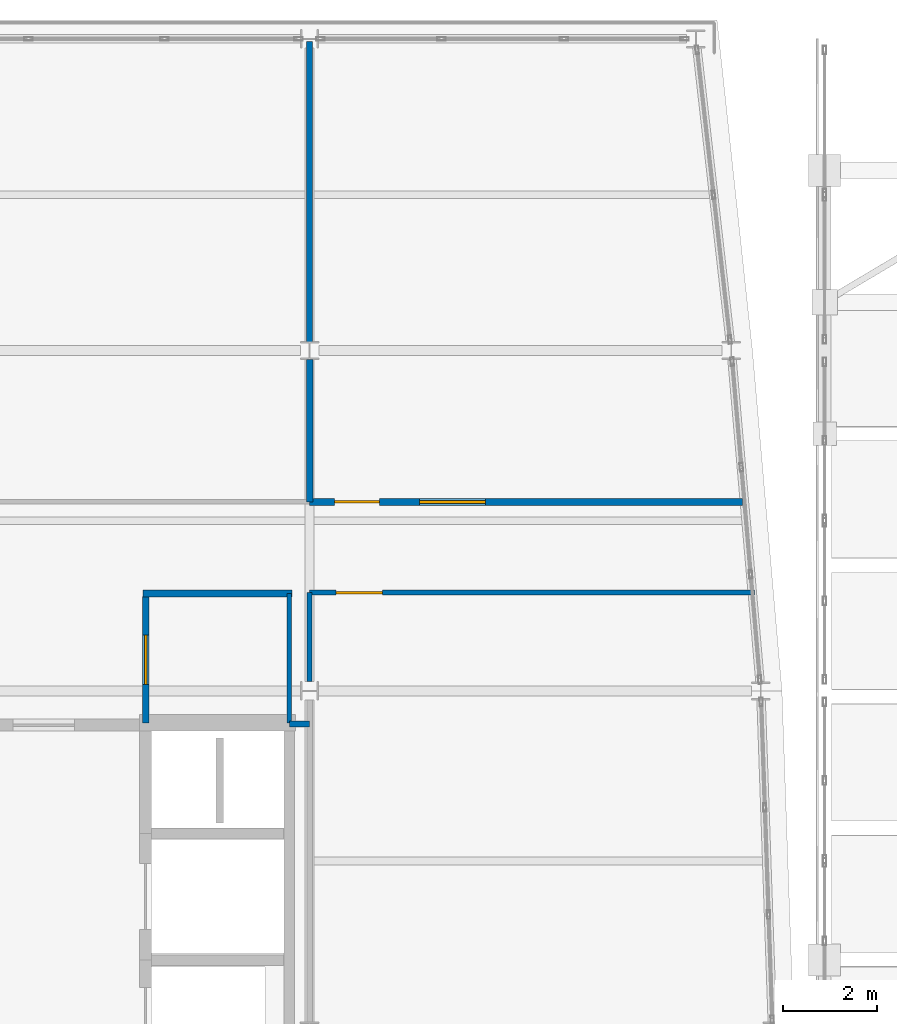
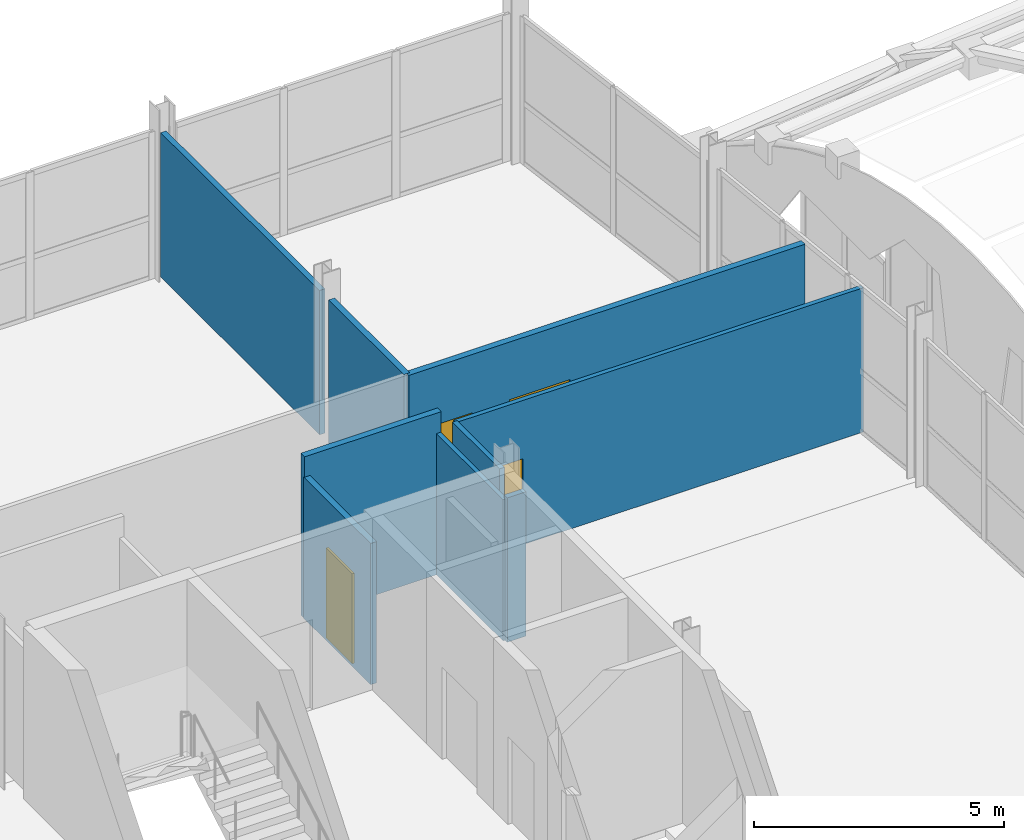
# One storey, part 56 of 65: 9 walls, 3 doors, 1 window, 4 openings.
"""IFC4 building model written with IfcOpenShell, lengths in metres."""

from ifc_helpers import new_model, si_unit, direction, frame, frame_2d, origin, place, context, subcontext, project, spatial, rectangle, extrude, material, layer, layer_set, type_object, element, fill, save


model = new_model("IFC4")

# Units and contexts
model_context = context("Model", 3, precision=1e-05, world=origin(), true_north=direction((0.0, 1.0)))
body_context = subcontext(model_context, "Body", "Model", "MODEL_VIEW")
ifc_project = project(units=[si_unit("LENGTHUNIT", "METRE"), si_unit("AREAUNIT", "SQUARE_METRE"), si_unit("VOLUMEUNIT", "CUBIC_METRE"), si_unit("PLANEANGLEUNIT", "RADIAN"), si_unit("MASSUNIT", "GRAM", prefix="KILO")], contexts=[model_context])

# Site, building, storey
site_placement = place(None, origin())
site = spatial("IfcSite", under=ifc_project, at=site_placement, CompositionType="ELEMENT")
building_placement = place(site_placement, origin())
building = spatial("IfcBuilding", under=site, at=building_placement, Name="Quillay Park Conservatory", CompositionType="ELEMENT")
storey_placement = place(building_placement, frame((0.0, 0.0, 14.10009765625)))
storey = spatial("IfcBuildingStorey", under=building, at=storey_placement, Name="L03", CompositionType="ELEMENT", Elevation=14.10009765625)

# Wall
ifc_material_1 = material(Name="Steel-Stud Acoustic Gypsum Board Partition", Category="steel")
ifc_layer_1 = layer(ifc_material_1, 0.10009765625)
ifc_layer_set_1 = layer_set([ifc_layer_1], Name="ACOUSTIC GYPSUM PARTITION 100 (Steel-Stud Acoustic Gypsum Board Partition)")
wall_type_1 = type_object("IfcWallType", Name="ACOUSTIC GYPSUM PARTITION 100", PredefinedType="PARTITIONING", material=ifc_layer_set_1)
wall_1_placement = place(storey_placement, frame((19.320068359375, 98.919921875, 0.0), z_axis=(0.0, 0.0, 1.0), x_axis=(0.0, 1.0, 0.0)))
element("IfcWall", 1, at=wall_1_placement, inside=storey, type_object=wall_type_1, Name="L03 Washroom East Wall", PredefinedType="PARTITIONING", context=body_context, shape_type="SweptSolid", body=[
    extrude(rectangle(XDim=2.739990234375, YDim=0.10009765625, at=frame_2d((1.3701171875, 0.0))), origin(), (0.0, 0.0, 1.0), 3.450927734375),
])

# Wall, opening, door
ifc_material_2 = material(Name="Steel-Stud Acoustic Gypsum Board Partition", Category="steel")
ifc_layer_2 = layer(ifc_material_2, 0.10498046875)
ifc_layer_set_2 = layer_set([ifc_layer_2], Name="ACOUSTIC GYPSUM PARTITION 105 (Steel-Stud Acoustic Gypsum Board Partition)")
wall_type_2 = type_object("IfcWallType", Name="ACOUSTIC GYPSUM PARTITION 105", PredefinedType="PARTITIONING", material=ifc_layer_set_2)
wall_2_placement = place(storey_placement, frame((19.75, 101.679931640625, 0.0), z_axis=(0.0, 0.0, 1.0), x_axis=(1.0, 0.0, 0.0)))
wall_2 = element("IfcWall", 2, at=wall_2_placement, inside=storey, type_object=wall_type_2, Name="L03 Secondary Metabolite Bioassay Laboratory North Door Wall", PredefinedType="PARTITIONING", context=body_context, shape_type="SweptSolid", body=[
    extrude(rectangle(XDim=9.4150390625, YDim=0.10498046875, at=frame_2d((4.70751953125, 0.0))), origin(), (0.0, 0.0, 1.0), 3.52685546875),
])
opening_1_placement = place(wall_2_placement, frame((0.56005859375, 0.0, 0.0)))
opening_1 = element("IfcOpeningElement", 3, at=opening_1_placement, cuts=wall_2, Name="Opening D-RM03", PredefinedType="OPENING", context=body_context, shape_type="SweptSolid", body=[
    extrude(rectangle(XDim=0.97998046875, YDim=2.10009765625, at=frame_2d((0.489990234375, 1.050048828125))), frame((0.0, 0.052490234375, 0.0), z_axis=(0.0, -1.0, 0.0), x_axis=(1.0, 0.0, 0.0)), (0.0, 0.0, 1.0), 0.10498046875),
])
ifc_material_3 = material(Name="Thermally Broken Anodised Aluminium 6063-T6", Category="aluminium")
door_type_1 = type_object("IfcDoorType", Name="SINGLE SWING DOOR 980 X2100", OperationType="NOTDEFINED", PredefinedType="DOOR", material=ifc_material_3)
door_1_placement = place(opening_1_placement, origin())
door_1 = element("IfcDoor", 4, at=door_1_placement, inside=storey, type_object=door_type_1, Name="L03 Door to Secondary Metabolite Bioassay Laboratory", OperationType="SINGLE_SWING_LEFT", OverallHeight=2.10009765625, OverallWidth=0.97998046875, PredefinedType="DOOR", context=body_context, shape_type="SweptSolid", body=[
    extrude(rectangle(XDim=0.97998046875, YDim=2.10009765625, at=frame_2d((0.489990234375, 1.050048828125))), frame((0.0, 0.02490234375, 0.0), z_axis=(0.0, -1.0, 0.0), x_axis=(1.0, 0.0, 0.0)), (0.0, 0.0, 1.0), 0.050048828125),
])
fill(opening_1, door_1)

# Walls
ifc_material_4 = material(Name="Steel-Stud Acoustic Gypsum Board Partition", Category="steel")
ifc_layer_3 = layer(ifc_material_4, 0.110107421875)
ifc_layer_set_3 = layer_set([ifc_layer_3], Name="ACOUSTIC GYPSUM PARTITION 110 (Steel-Stud Acoustic Gypsum Board Partition)")
wall_type_3 = type_object("IfcWallType", Name="ACOUSTIC GYPSUM PARTITION 110", PredefinedType="PARTITIONING", material=ifc_layer_set_3)
wall_3_placement = place(storey_placement, frame((19.75, 99.79248046875, 0.0), z_axis=(0.0, 0.0, 1.0), x_axis=(0.0, 1.0, 0.0)))
element("IfcWall", 5, at=wall_3_placement, inside=storey, type_object=wall_type_3, Name="L03 Secondary Metabolite Bioassay Laboratory West Wall 4", PredefinedType="PARTITIONING", context=body_context, shape_type="SweptSolid", body=[
    extrude(rectangle(XDim=1.887451171875, YDim=0.110107421875, at=frame_2d((0.94384765625, 0.0))), origin(), (0.0, 0.0, 1.0), 3.52685546875),
])
ifc_material_5 = material(Name="Steel-Stud Acoustic Gypsum Board Partition", Category="steel")
ifc_layer_4 = layer(ifc_material_5, 0.1298828125)
ifc_layer_set_4 = layer_set([ifc_layer_4], Name="ACOUSTIC GYPSUM PARTITION 130 (Steel-Stud Acoustic Gypsum Board Partition)")
wall_type_4 = type_object("IfcWallType", Name="ACOUSTIC GYPSUM PARTITION 130", PredefinedType="PARTITIONING", material=ifc_layer_set_4)
wall_4_placement = place(storey_placement, frame((19.75, 98.89990234375, 0.0), z_axis=(0.0, 0.0, 1.0), x_axis=(-1.0, 0.0, 0.0)))
element("IfcWall", 6, at=wall_4_placement, inside=storey, type_object=wall_type_4, Name="L03 Core North-East Closure", PredefinedType="PARTITIONING", context=body_context, shape_type="SweptSolid", body=[
    extrude(rectangle(XDim=0.429931640625, YDim=0.1298828125, at=frame_2d((0.21484375, 0.0))), origin(), (0.0, 0.0, 1.0), 3.52685546875),
])
wall_5_placement = place(storey_placement, frame((19.75, 113.35009765625, 0.0), z_axis=(0.0, 0.0, 1.0), x_axis=(0.0, -1.0, 0.0)))
element("IfcWall", 7, at=wall_5_placement, inside=storey, type_object=wall_type_4, Name="L03 North Divider 19 N", PredefinedType="PARTITIONING", context=body_context, shape_type="SweptSolid", body=[
    extrude(rectangle(XDim=6.364990234375, YDim=0.1298828125, at=frame_2d((3.1826171875, 0.0))), origin(), (0.0, 0.0, 1.0), 3.52685546875),
])

# Wall, opening, door
ifc_material_6 = material(Name="Steel-Stud Acoustic Gypsum Board Partition", Category="steel")
ifc_layer_5 = layer(ifc_material_6, 0.139892578125)
ifc_layer_set_5 = layer_set([ifc_layer_5], Name="ACOUSTIC GYPSUM PARTITION 140 (Steel-Stud Acoustic Gypsum Board Partition)")
wall_type_5 = type_object("IfcWallType", Name="ACOUSTIC GYPSUM PARTITION 140", PredefinedType="PARTITIONING", material=ifc_layer_set_5)
wall_6_placement = place(storey_placement, frame((16.280029296875, 98.919921875, 0.0), z_axis=(0.0, 0.0, 1.0), x_axis=(0.0, 1.0, 0.0)))
wall_6 = element("IfcWall", 8, at=wall_6_placement, inside=storey, type_object=wall_type_5, Name="L03 Washroom Door Wall", PredefinedType="PARTITIONING", context=body_context, shape_type="SweptSolid", body=[
    extrude(rectangle(XDim=2.68017578125, YDim=0.139892578125, at=frame_2d((1.340087890625, 0.0))), origin(), (0.0, 0.0, 1.0), 3.450927734375),
])
opening_2_placement = place(wall_6_placement, frame((0.81494140625, 0.0, 0.0)))
opening_2 = element("IfcOpeningElement", 9, at=opening_2_placement, cuts=wall_6, Name="Opening D-RM15", PredefinedType="OPENING", context=body_context, shape_type="SweptSolid", body=[
    extrude(rectangle(XDim=1.050048828125, YDim=2.199951171875, at=frame_2d((0.52490234375, 1.10009765625))), frame((0.0, 0.06982421875, 0.0), z_axis=(0.0, -1.0, 0.0), x_axis=(1.0, 0.0, 0.0)), (0.0, 0.0, 1.0), 0.139892578125),
])
ifc_material_7 = material(Name="Thermally Broken Anodised Aluminium 6063-T6", Category="aluminium")
door_type_2 = type_object("IfcDoorType", Name="SINGLE SWING DOOR 1050 X2200", OperationType="NOTDEFINED", PredefinedType="DOOR", material=ifc_material_7)
door_2_placement = place(opening_2_placement, origin())
door_2 = element("IfcDoor", 10, at=door_2_placement, inside=storey, type_object=door_type_2, Name="L03 Door to L03 Restroom and Washroom", OperationType="SINGLE_SWING_RIGHT", OverallHeight=2.199951171875, OverallWidth=1.050048828125, PredefinedType="DOOR", context=body_context, shape_type="SweptSolid", body=[
    extrude(rectangle(XDim=1.050048828125, YDim=2.199951171875, at=frame_2d((0.52490234375, 1.10009765625))), frame((0.0, 0.02490234375, 0.0), z_axis=(0.0, -1.0, 0.0), x_axis=(1.0, 0.0, 0.0)), (0.0, 0.0, 1.0), 0.050048828125),
])
fill(opening_2, door_2)

# Walls
wall_7_placement = place(storey_placement, frame((19.75, 106.614990234375, 0.0), z_axis=(0.0, 0.0, 1.0), x_axis=(0.0, -1.0, 0.0)))
element("IfcWall", 11, at=wall_7_placement, inside=storey, type_object=wall_type_5, Name="L03 North Divider 19 S", PredefinedType="PARTITIONING", context=body_context, shape_type="SweptSolid", body=[
    extrude(rectangle(XDim=3.014892578125, YDim=0.139892578125, at=frame_2d((1.50732421875, 0.0))), origin(), (0.0, 0.0, 1.0), 3.52685546875),
])
ifc_material_8 = material(Name="Steel-Stud Acoustic Gypsum Board Partition", Category="steel")
ifc_layer_6 = layer(ifc_material_8, 0.14990234375)
ifc_layer_set_6 = layer_set([ifc_layer_6], Name="ACOUSTIC GYPSUM PARTITION 150 (Steel-Stud Acoustic Gypsum Board Partition)")
wall_type_6 = type_object("IfcWallType", Name="ACOUSTIC GYPSUM PARTITION 150", PredefinedType="PARTITIONING", material=ifc_layer_set_6)
wall_8_placement = place(storey_placement, frame((19.3798828125, 101.659912109375, 0.0), z_axis=(0.0, 0.0, 1.0), x_axis=(-1.0, 0.0, 0.0)))
element("IfcWall", 12, at=wall_8_placement, inside=storey, type_object=wall_type_6, Name="L03 Washroom North Wall", PredefinedType="PARTITIONING", context=body_context, shape_type="SweptSolid", body=[
    extrude(rectangle(XDim=3.159912109375, YDim=0.14990234375, at=frame_2d((1.580078125, 0.0))), origin(), (0.0, 0.0, 1.0), 3.949951171875),
])

# Wall, openings, window, door
wall_9_placement = place(storey_placement, frame((19.75, 103.60009765625, 0.0), z_axis=(0.0, 0.0, 1.0), x_axis=(1.0, 0.0, 0.0)))
wall_9 = element("IfcWall", 13, at=wall_9_placement, inside=storey, type_object=wall_type_6, Name="L03 Reagent Cold Storage and Prep Room South Wall", PredefinedType="PARTITIONING", context=body_context, shape_type="SweptSolid", body=[
    extrude(rectangle(XDim=9.1650390625, YDim=0.14990234375, at=frame_2d((4.58251953125, 0.0))), origin(), (0.0, 0.0, 1.0), 3.52685546875),
])
opening_3_placement = place(wall_9_placement, frame((0.52490234375, 0.0, 0.0)))
opening_3 = element("IfcOpeningElement", 14, at=opening_3_placement, cuts=wall_9, Name="Opening D-RM02", PredefinedType="OPENING", context=body_context, shape_type="SweptSolid", body=[
    extrude(rectangle(XDim=0.949951171875, YDim=2.10009765625, at=frame_2d((0.47509765625, 1.050048828125))), frame((0.0, 0.074951171875, 0.0), z_axis=(0.0, -1.0, 0.0), x_axis=(1.0, 0.0, 0.0)), (0.0, 0.0, 1.0), 0.14990234375),
])
opening_4_placement = place(wall_9_placement, frame((2.324951171875, 0.0, 0.919921875)))
opening_4 = element("IfcOpeningElement", 15, at=opening_4_placement, cuts=wall_9, Name="Opening W-IN08", PredefinedType="OPENING", context=body_context, shape_type="SweptSolid", body=[
    extrude(rectangle(XDim=1.39990234375, YDim=1.199951171875, at=frame_2d((0.699951171875, 0.60009765625))), frame((0.0, 0.074951171875, 0.0), z_axis=(0.0, -1.0, 0.0), x_axis=(1.0, 0.0, 0.0)), (0.0, 0.0, 1.0), 0.14990234375),
])
ifc_material_9 = material(Name="Low-E Double Glazing (Laminated Tempered)", Category="glass")
window_type = type_object("IfcWindowType", Name="OPERABLE VENT WINDOW 1400 X1200", PartitioningType="SINGLE_PANEL", PredefinedType="WINDOW", material=ifc_material_9)
window_placement = place(opening_4_placement, origin())
window = element("IfcWindow", 16, at=window_placement, inside=storey, type_object=window_type, Name="L03 Laboratory Vision Panel 020", OverallHeight=1.199951171875, OverallWidth=1.39990234375, PartitioningType="SINGLE_PANEL", PredefinedType="WINDOW", context=body_context, shape_type="SweptSolid", body=[
    extrude(rectangle(XDim=1.39990234375, YDim=1.199951171875, at=frame_2d((0.699951171875, 0.60009765625))), frame((0.0, 0.030029296875, 0.0), z_axis=(0.0, -1.0, 0.0), x_axis=(1.0, 0.0, 0.0)), (0.0, 0.0, 1.0), 0.06005859375),
])
fill(opening_4, window)
ifc_material_10 = material(Name="Thermally Broken Anodised Aluminium 6063-T6", Category="aluminium")
door_type_3 = type_object("IfcDoorType", Name="SINGLE SWING DOOR 950 X2100", OperationType="NOTDEFINED", PredefinedType="DOOR", material=ifc_material_10)
door_3_placement = place(opening_3_placement, origin())
door_3 = element("IfcDoor", 17, at=door_3_placement, inside=storey, type_object=door_type_3, Name="L03 Door to Reagent Cold Storage and Prep Room", OperationType="SINGLE_SWING_RIGHT", OverallHeight=2.10009765625, OverallWidth=0.949951171875, PredefinedType="DOOR", context=body_context, shape_type="SweptSolid", body=[
    extrude(rectangle(XDim=0.949951171875, YDim=2.10009765625, at=frame_2d((0.47509765625, 1.050048828125))), frame((0.0, 0.02490234375, 0.0), z_axis=(0.0, -1.0, 0.0), x_axis=(1.0, 0.0, 0.0)), (0.0, 0.0, 1.0), 0.050048828125),
])
fill(opening_3, door_3)

save(model, "model.ifc")
